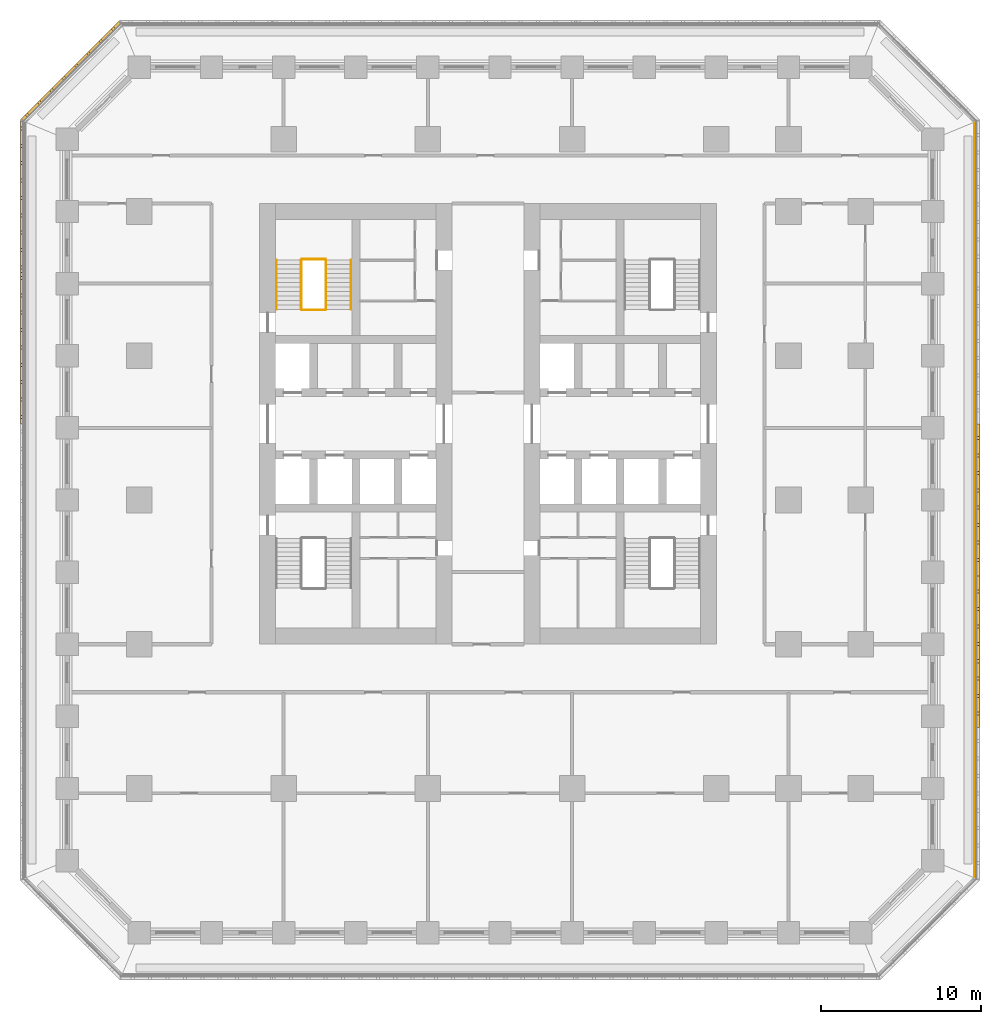
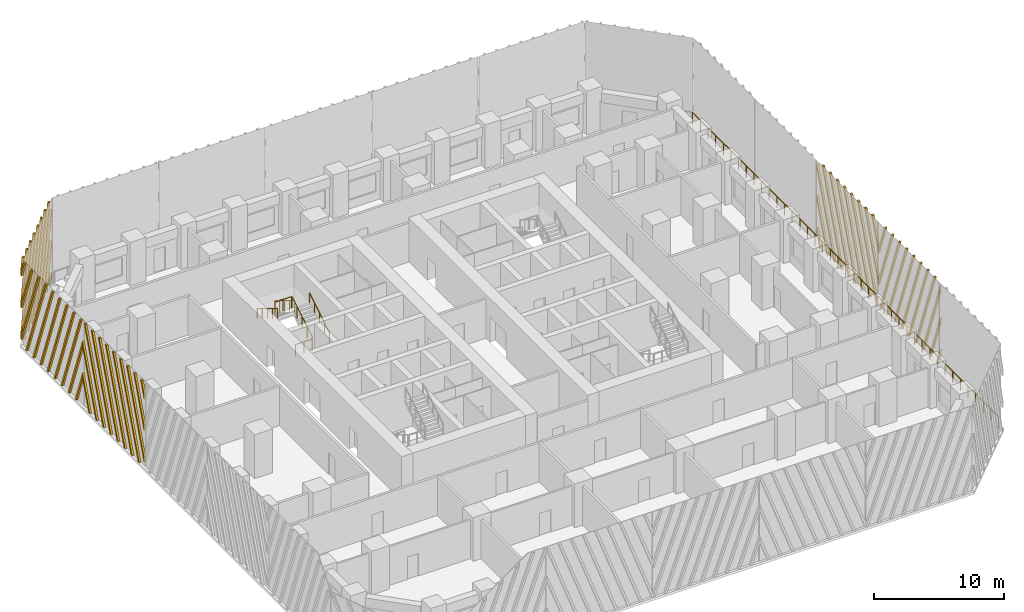
# One storey, part 11 of 14: 7 railings, 5 shading devices.
"""IFC4 building model written with IfcOpenShell, lengths in metres."""

from ifc_helpers import new_model, si_unit, direction, frame, origin, origin_2d, place, context, subcontext, project, spatial, polyline, circle, outline, extrude, source, transform, mapped, material, type_object, element, save


model = new_model("IFC4")

# Units and contexts
model_context = context("Model", 3, precision=1e-05, world=origin(), true_north=direction((0.0, 1.0)))
body_context = subcontext(model_context, "Body", "Model", "MODEL_VIEW")
ifc_project = project(units=[si_unit("LENGTHUNIT", "METRE"), si_unit("AREAUNIT", "SQUARE_METRE"), si_unit("VOLUMEUNIT", "CUBIC_METRE"), si_unit("PLANEANGLEUNIT", "RADIAN"), si_unit("MASSUNIT", "GRAM", prefix="KILO")], contexts=[model_context])

# Site, building, storey
site_placement = place(None, origin())
site = spatial("IfcSite", under=ifc_project, at=site_placement, CompositionType="ELEMENT")
building_placement = place(site_placement, origin())
building = spatial("IfcBuilding", under=site, at=building_placement, Name="Corbel Stack Research Tower", CompositionType="ELEMENT")
storey_placement = place(building_placement, frame((0.0, 0.0, 58.300048828125)))
storey = spatial("IfcBuildingStorey", under=building, at=storey_placement, Name="L13", CompositionType="ELEMENT", Elevation=58.300048828125)

# Railings
ifc_material_1 = material(Name="Steel S355", Category="steel")
railing_type_1 = type_object("IfcRailingType", Name="Stair guard 1100", PredefinedType="GUARDRAIL", material=ifc_material_1)
railing_1_placement = place(storey_placement, frame((-6.35009765625, 11.89990234375, 0.1708984375)))
element("IfcRailing", 1, at=railing_1_placement, inside=storey, type_object=railing_type_1, Name="L13 ST-W2 stair guard 1", PredefinedType="GUARDRAIL", context=body_context, shape_type="SweptSolid", body=[
    extrude(circle(Radius=0.02392578125, at=origin_2d()), frame((0.0, 0.0, 1.076171875), z_axis=(0.0, 0.853666305674, 0.52082035152), x_axis=(-1.0, 0.0, 0.0)), (0.0, 0.0, 1.0), 3.608154296875),
    extrude(circle(Radius=0.02099609375, at=origin_2d()), origin(), (0.0, 0.0, 1.0), 1.052001953125),
    extrude(circle(Radius=0.02099609375, at=origin_2d()), frame((0.0, 0.77001953125, 0.4697265625)), (0.0, 0.0, 1.0), 1.052001953125),
    extrude(circle(Radius=0.02099609375, at=origin_2d()), frame((0.0, 1.5400390625, 0.939453125)), (0.0, 0.0, 1.0), 1.052001953125),
    extrude(circle(Radius=0.02099609375, at=origin_2d()), frame((0.0, 2.31005859375, 1.409423828125)), (0.0, 0.0, 1.0), 1.052001953125),
    extrude(circle(Radius=0.02099609375, at=origin_2d()), frame((0.0, 3.080078125, 1.879150390625)), (0.0, 0.0, 1.0), 1.052001953125),
])
railing_2_placement = place(storey_placement, frame((-6.39990234375, 15.030029296875, 2.050048828125)))
element("IfcRailing", 2, at=railing_2_placement, inside=storey, type_object=railing_type_1, Name="L13 ST-W2 stair guard 2", PredefinedType="GUARDRAIL", context=body_context, shape_type="SweptSolid", body=[
    extrude(circle(Radius=0.02392578125, at=origin_2d()), frame((0.0, 0.0, 1.076171875), z_axis=(-1.0, 0.0, 0.0), x_axis=(0.0, -1.0, 0.0)), (0.0, 0.0, 1.0), 1.4501953125),
    extrude(circle(Radius=0.02099609375, at=origin_2d()), origin(), (0.0, 0.0, 1.0), 1.052001953125),
    extrude(circle(Radius=0.02099609375, at=origin_2d()), frame((-0.72509765625, 0.0, 0.0)), (0.0, 0.0, 1.0), 1.052001953125),
    extrude(circle(Radius=0.02099609375, at=origin_2d()), frame((-1.4501953125, 0.0, 0.0)), (0.0, 0.0, 1.0), 1.052001953125),
])
railing_3_placement = place(storey_placement, frame((-7.89990234375, 14.97998046875, 2.220703125)))
element("IfcRailing", 3, at=railing_3_placement, inside=storey, type_object=railing_type_1, Name="L13 ST-W2 stair guard 3", PredefinedType="GUARDRAIL", context=body_context, shape_type="SweptSolid", body=[
    extrude(circle(Radius=0.02392578125, at=origin_2d()), frame((0.0, 0.0, 1.076171875), z_axis=(0.0, -0.853666305674, 0.52082035152), x_axis=(1.0, 0.0, 0.0)), (0.0, 0.0, 1.0), 3.608154296875),
    extrude(circle(Radius=0.02099609375, at=origin_2d()), origin(), (0.0, 0.0, 1.0), 1.052001953125),
    extrude(circle(Radius=0.02099609375, at=origin_2d()), frame((0.0, -0.77001953125, 0.4697265625)), (0.0, 0.0, 1.0), 1.052001953125),
    extrude(circle(Radius=0.02099609375, at=origin_2d()), frame((0.0, -1.5400390625, 0.939453125)), (0.0, 0.0, 1.0), 1.052001953125),
    extrude(circle(Radius=0.02099609375, at=origin_2d()), frame((0.0, -2.31005859375, 1.409423828125)), (0.0, 0.0, 1.0), 1.052001953125),
    extrude(circle(Radius=0.02099609375, at=origin_2d()), frame((0.0, -3.080078125, 1.879150390625)), (0.0, 0.0, 1.0), 1.052001953125),
])
railing_4_placement = place(storey_placement, frame((-6.39990234375, 11.85009765625, 0.0)))
element("IfcRailing", 4, at=railing_4_placement, inside=storey, type_object=railing_type_1, Name="L13 ST-W2 stair guard 4", PredefinedType="GUARDRAIL", context=body_context, shape_type="SweptSolid", body=[
    extrude(circle(Radius=0.02392578125, at=origin_2d()), frame((0.0, 0.0, 1.076171875), z_axis=(-1.0, 0.0, 0.0), x_axis=(0.0, -1.0, 0.0)), (0.0, 0.0, 1.0), 1.4501953125),
    extrude(circle(Radius=0.02099609375, at=origin_2d()), origin(), (0.0, 0.0, 1.0), 1.052001953125),
    extrude(circle(Radius=0.02099609375, at=origin_2d()), frame((-0.72509765625, 0.0, 0.0)), (0.0, 0.0, 1.0), 1.052001953125),
    extrude(circle(Radius=0.02099609375, at=origin_2d()), frame((-1.4501953125, 0.0, 0.0)), (0.0, 0.0, 1.0), 1.052001953125),
])
ifc_material_2 = material(Name="Steel S355", Category="steel")
railing_type_2 = type_object("IfcRailingType", Name="Stair handrail 900", PredefinedType="HANDRAIL", material=ifc_material_2)
railing_5_placement = place(storey_placement, frame((-4.800048828125, 11.89990234375, 0.1708984375)))
element("IfcRailing", 5, at=railing_5_placement, inside=storey, type_object=railing_type_2, Name="L13 ST-W2 stair handrail 1", PredefinedType="HANDRAIL", context=body_context, shape_type="SweptSolid", body=[
    extrude(circle(Radius=0.02392578125, at=origin_2d()), frame((0.0, 0.0, 0.8759765625), z_axis=(0.0, 0.853666305674, 0.52082035152), x_axis=(-1.0, 0.0, 0.0)), (0.0, 0.0, 1.0), 3.608154296875),
    extrude(circle(Radius=0.02099609375, at=origin_2d()), origin(), (0.0, 0.0, 1.0), 0.851806640625),
    extrude(circle(Radius=0.02099609375, at=origin_2d()), frame((0.0, 0.77001953125, 0.4697265625)), (0.0, 0.0, 1.0), 0.851806640625),
    extrude(circle(Radius=0.02099609375, at=origin_2d()), frame((0.0, 1.5400390625, 0.939453125)), (0.0, 0.0, 1.0), 0.851806640625),
    extrude(circle(Radius=0.02099609375, at=origin_2d()), frame((0.0, 2.31005859375, 1.409423828125)), (0.0, 0.0, 1.0), 0.851806640625),
    extrude(circle(Radius=0.02099609375, at=origin_2d()), frame((0.0, 3.080078125, 1.879150390625)), (0.0, 0.0, 1.0), 0.851806640625),
])
railing_6_placement = place(storey_placement, frame((-9.449951171875, 14.97998046875, 2.220703125)))
element("IfcRailing", 6, at=railing_6_placement, inside=storey, type_object=railing_type_2, Name="L13 ST-W2 stair handrail 2", PredefinedType="HANDRAIL", context=body_context, shape_type="SweptSolid", body=[
    extrude(circle(Radius=0.02392578125, at=origin_2d()), frame((0.0, 0.0, 0.8759765625), z_axis=(0.0, -0.853666305674, 0.52082035152), x_axis=(1.0, 0.0, 0.0)), (0.0, 0.0, 1.0), 3.608154296875),
    extrude(circle(Radius=0.02099609375, at=origin_2d()), origin(), (0.0, 0.0, 1.0), 0.851806640625),
    extrude(circle(Radius=0.02099609375, at=origin_2d()), frame((0.0, -0.77001953125, 0.4697265625)), (0.0, 0.0, 1.0), 0.851806640625),
    extrude(circle(Radius=0.02099609375, at=origin_2d()), frame((0.0, -1.5400390625, 0.939453125)), (0.0, 0.0, 1.0), 0.851806640625),
    extrude(circle(Radius=0.02099609375, at=origin_2d()), frame((0.0, -2.31005859375, 1.409423828125)), (0.0, 0.0, 1.0), 0.851806640625),
    extrude(circle(Radius=0.02099609375, at=origin_2d()), frame((0.0, -3.080078125, 1.879150390625)), (0.0, 0.0, 1.0), 0.851806640625),
])
ifc_material_3 = material(Name="Powder-coated steel guard", Category="steel")
railing_type_3 = type_object("IfcRailingType", Name="Steel and glass guard 1100", PredefinedType="GUARDRAIL", material=ifc_material_3)
railing_7_placement = place(storey_placement, frame((34.10009765625, -23.50537109375, 0.0)))
element("IfcRailing", 7, at=railing_7_placement, inside=storey, type_object=railing_type_3, Name="Loggia guard L13 E", PredefinedType="GUARDRAIL", context=body_context, shape_type="SweptSolid", body=[
    extrude(circle(Radius=0.02392578125, at=origin_2d()), frame((0.0, 0.0, 1.076171875), z_axis=(0.0, 1.0, 0.0), x_axis=(-1.0, 0.0, 0.0)), (0.0, 0.0, 1.0), 47.0107421875),
    extrude(circle(Radius=0.02099609375, at=origin_2d()), origin(), (0.0, 0.0, 1.0), 1.052001953125),
    extrude(circle(Radius=0.02099609375, at=origin_2d()), frame((0.0, 1.17529296875, 0.0)), (0.0, 0.0, 1.0), 1.052001953125),
    extrude(circle(Radius=0.02099609375, at=origin_2d()), frame((0.0, 2.3505859375, 0.0)), (0.0, 0.0, 1.0), 1.052001953125),
    extrude(circle(Radius=0.02099609375, at=origin_2d()), frame((0.0, 3.52587890625, 0.0)), (0.0, 0.0, 1.0), 1.052001953125),
    extrude(circle(Radius=0.02099609375, at=origin_2d()), frame((0.0, 4.701171875, 0.0)), (0.0, 0.0, 1.0), 1.052001953125),
    extrude(circle(Radius=0.02099609375, at=origin_2d()), frame((0.0, 5.87646484375, 0.0)), (0.0, 0.0, 1.0), 1.052001953125),
    extrude(circle(Radius=0.02099609375, at=origin_2d()), frame((0.0, 7.051513671875, 0.0)), (0.0, 0.0, 1.0), 1.052001953125),
    extrude(circle(Radius=0.02099609375, at=origin_2d()), frame((0.0, 8.226806640625, 0.0)), (0.0, 0.0, 1.0), 1.052001953125),
    extrude(circle(Radius=0.02099609375, at=origin_2d()), frame((0.0, 9.402099609375, 0.0)), (0.0, 0.0, 1.0), 1.052001953125),
    extrude(circle(Radius=0.02099609375, at=origin_2d()), frame((0.0, 10.577392578125, 0.0)), (0.0, 0.0, 1.0), 1.052001953125),
    extrude(circle(Radius=0.02099609375, at=origin_2d()), frame((0.0, 11.752685546875, 0.0)), (0.0, 0.0, 1.0), 1.052001953125),
    extrude(circle(Radius=0.02099609375, at=origin_2d()), frame((0.0, 12.927978515625, 0.0)), (0.0, 0.0, 1.0), 1.052001953125),
    extrude(circle(Radius=0.02099609375, at=origin_2d()), frame((0.0, 14.103271484375, 0.0)), (0.0, 0.0, 1.0), 1.052001953125),
    extrude(circle(Radius=0.02099609375, at=origin_2d()), frame((0.0, 15.278564453125, 0.0)), (0.0, 0.0, 1.0), 1.052001953125),
    extrude(circle(Radius=0.02099609375, at=origin_2d()), frame((0.0, 16.453857421875, 0.0)), (0.0, 0.0, 1.0), 1.052001953125),
    extrude(circle(Radius=0.02099609375, at=origin_2d()), frame((0.0, 17.62890625, 0.0)), (0.0, 0.0, 1.0), 1.052001953125),
    extrude(circle(Radius=0.02099609375, at=origin_2d()), frame((0.0, 18.80419921875, 0.0)), (0.0, 0.0, 1.0), 1.052001953125),
    extrude(circle(Radius=0.02099609375, at=origin_2d()), frame((0.0, 19.9794921875, 0.0)), (0.0, 0.0, 1.0), 1.052001953125),
    extrude(circle(Radius=0.02099609375, at=origin_2d()), frame((0.0, 21.15478515625, 0.0)), (0.0, 0.0, 1.0), 1.052001953125),
    extrude(circle(Radius=0.02099609375, at=origin_2d()), frame((0.0, 22.330078125, 0.0)), (0.0, 0.0, 1.0), 1.052001953125),
    extrude(circle(Radius=0.02099609375, at=origin_2d()), frame((0.0, 23.50537109375, 0.0)), (0.0, 0.0, 1.0), 1.052001953125),
    extrude(circle(Radius=0.02099609375, at=origin_2d()), frame((0.0, 24.6806640625, 0.0)), (0.0, 0.0, 1.0), 1.052001953125),
    extrude(circle(Radius=0.02099609375, at=origin_2d()), frame((0.0, 25.85595703125, 0.0)), (0.0, 0.0, 1.0), 1.052001953125),
    extrude(circle(Radius=0.02099609375, at=origin_2d()), frame((0.0, 27.03125, 0.0)), (0.0, 0.0, 1.0), 1.052001953125),
    extrude(circle(Radius=0.02099609375, at=origin_2d()), frame((0.0, 28.20654296875, 0.0)), (0.0, 0.0, 1.0), 1.052001953125),
    extrude(circle(Radius=0.02099609375, at=origin_2d()), frame((0.0, 29.3818359375, 0.0)), (0.0, 0.0, 1.0), 1.052001953125),
    extrude(circle(Radius=0.02099609375, at=origin_2d()), frame((0.0, 30.556884765625, 0.0)), (0.0, 0.0, 1.0), 1.052001953125),
    extrude(circle(Radius=0.02099609375, at=origin_2d()), frame((0.0, 31.732177734375, 0.0)), (0.0, 0.0, 1.0), 1.052001953125),
    extrude(circle(Radius=0.02099609375, at=origin_2d()), frame((0.0, 32.907470703125, 0.0)), (0.0, 0.0, 1.0), 1.052001953125),
    extrude(circle(Radius=0.02099609375, at=origin_2d()), frame((0.0, 34.082763671875, 0.0)), (0.0, 0.0, 1.0), 1.052001953125),
    extrude(circle(Radius=0.02099609375, at=origin_2d()), frame((0.0, 35.258056640625, 0.0)), (0.0, 0.0, 1.0), 1.052001953125),
    extrude(circle(Radius=0.02099609375, at=origin_2d()), frame((0.0, 36.433349609375, 0.0)), (0.0, 0.0, 1.0), 1.052001953125),
    extrude(circle(Radius=0.02099609375, at=origin_2d()), frame((0.0, 37.608642578125, 0.0)), (0.0, 0.0, 1.0), 1.052001953125),
    extrude(circle(Radius=0.02099609375, at=origin_2d()), frame((0.0, 38.783935546875, 0.0)), (0.0, 0.0, 1.0), 1.052001953125),
    extrude(circle(Radius=0.02099609375, at=origin_2d()), frame((0.0, 39.959228515625, 0.0)), (0.0, 0.0, 1.0), 1.052001953125),
    extrude(circle(Radius=0.02099609375, at=origin_2d()), frame((0.0, 41.13427734375, 0.0)), (0.0, 0.0, 1.0), 1.052001953125),
    extrude(circle(Radius=0.02099609375, at=origin_2d()), frame((0.0, 42.3095703125, 0.0)), (0.0, 0.0, 1.0), 1.052001953125),
    extrude(circle(Radius=0.02099609375, at=origin_2d()), frame((0.0, 43.48486328125, 0.0)), (0.0, 0.0, 1.0), 1.052001953125),
    extrude(circle(Radius=0.02099609375, at=origin_2d()), frame((0.0, 44.66015625, 0.0)), (0.0, 0.0, 1.0), 1.052001953125),
    extrude(circle(Radius=0.02099609375, at=origin_2d()), frame((0.0, 45.83544921875, 0.0)), (0.0, 0.0, 1.0), 1.052001953125),
    extrude(circle(Radius=0.02099609375, at=origin_2d()), frame((0.0, 47.0107421875, 0.0)), (0.0, 0.0, 1.0), 1.052001953125),
])

# Shading devices
ifc_material_4 = material(Name="Precast terracotta", Category="masonry")
shading_device_type = type_object("IfcShadingDeviceType", Name="Terracotta screen panel", PredefinedType="USERDEFINED", material=ifc_material_4)
shared_shape_1 = source(origin(), body_context, "Body", "SweptSolid", [
    extrude(outline(polyline([(1.09033203125, 7.949951171875), (0.900390625, 7.949951171875), (0.0, 5.476318359375), (0.0, 4.9541015625), (1.09033203125, 7.949951171875)])), frame((0.0, 0.0, 0.0), z_axis=(0.0, -1.0, 0.0), x_axis=(1.0, 0.0, 0.0)), (0.0, 0.0, 1.0), 0.179931640625),
    extrude(outline(polyline([(2.175048828125, 7.949951171875), (1.985107421875, 7.949951171875), (0.0, 2.49609375), (0.0, 1.97412109375), (2.175048828125, 7.949951171875)])), frame((0.0, 0.0, 0.0), z_axis=(0.0, -1.0, 0.0), x_axis=(1.0, 0.0, 0.0)), (0.0, 0.0, 1.0), 0.179931640625),
    extrude(outline(polyline([(0.3662109375, 0.0), (3.259765625, 7.949951171875), (3.069580078125, 7.949951171875), (0.17626953125, 0.0), (0.3662109375, 0.0)])), frame((0.0, 0.0, 0.0), z_axis=(0.0, -1.0, 0.0), x_axis=(1.0, 0.0, 0.0)), (0.0, 0.0, 1.0), 0.179931640625),
    extrude(outline(polyline([(1.45068359375, 0.0), (4.344482421875, 7.949951171875), (4.154296875, 7.949951171875), (1.2607421875, 0.0), (1.45068359375, 0.0)])), frame((0.0, 0.0, 0.0), z_axis=(0.0, -1.0, 0.0), x_axis=(1.0, 0.0, 0.0)), (0.0, 0.0, 1.0), 0.179931640625),
    extrude(outline(polyline([(2.535400390625, 0.0), (5.42919921875, 7.949951171875), (5.239013671875, 7.949951171875), (2.345458984375, 0.0), (2.535400390625, 0.0)])), frame((0.0, 0.0, 0.0), z_axis=(0.0, -1.0, 0.0), x_axis=(1.0, 0.0, 0.0)), (0.0, 0.0, 1.0), 0.179931640625),
    extrude(outline(polyline([(3.6201171875, 0.0), (6.513671875, 7.949951171875), (6.32373046875, 7.949951171875), (3.43017578125, 0.0), (3.6201171875, 0.0)])), frame((0.0, 0.0, 0.0), z_axis=(0.0, -1.0, 0.0), x_axis=(1.0, 0.0, 0.0)), (0.0, 0.0, 1.0), 0.179931640625),
    extrude(outline(polyline([(4.704833984375, 0.0), (7.598388671875, 7.949951171875), (7.408447265625, 7.949951171875), (4.514892578125, 0.0), (4.704833984375, 0.0)])), frame((0.0, 0.0, 0.0), z_axis=(0.0, -1.0, 0.0), x_axis=(1.0, 0.0, 0.0)), (0.0, 0.0, 1.0), 0.179931640625),
    extrude(outline(polyline([(5.78955078125, 0.0), (8.68310546875, 7.949951171875), (8.4931640625, 7.949951171875), (5.599609375, 0.0), (5.78955078125, 0.0)])), frame((0.0, 0.0, 0.0), z_axis=(0.0, -1.0, 0.0), x_axis=(1.0, 0.0, 0.0)), (0.0, 0.0, 1.0), 0.179931640625),
    extrude(outline(polyline([(6.874267578125, 0.0), (9.45556640625, 7.092529296875), (9.45556640625, 7.614501953125), (6.68408203125, 0.0), (6.874267578125, 0.0)])), frame((0.0, 0.0, 0.0), z_axis=(0.0, -1.0, 0.0), x_axis=(1.0, 0.0, 0.0)), (0.0, 0.0, 1.0), 0.179931640625),
    extrude(outline(polyline([(7.958740234375, 0.0), (9.45556640625, 4.1123046875), (9.45556640625, 4.634521484375), (7.768798828125, 0.0), (7.958740234375, 0.0)])), frame((0.0, 0.0, 0.0), z_axis=(0.0, -1.0, 0.0), x_axis=(1.0, 0.0, 0.0)), (0.0, 0.0, 1.0), 0.179931640625),
    extrude(outline(polyline([(9.04345703125, 0.0), (9.45556640625, 1.13232421875), (9.45556640625, 1.654296875), (8.853515625, 0.0), (9.04345703125, 0.0)])), frame((0.0, 0.0, 0.0), z_axis=(0.0, -1.0, 0.0), x_axis=(1.0, 0.0, 0.0)), (0.0, 0.0, 1.0), 0.179931640625),
])
shading_device_1_placement = place(storey_placement, frame((34.25, -4.727783203125, 0.0), z_axis=(0.0, 0.0, 1.0), x_axis=(0.0, 1.0, 0.0)))
element("IfcShadingDevice", 8, at=shading_device_1_placement, inside=storey, type_object=shading_device_type, Name="Terracotta screen L13 E3", ObjectType="SCREEN", PredefinedType="USERDEFINED", context=body_context, shape_type="MappedRepresentation", body=[
    mapped(shared_shape_1, transform((0.0, 0.0, 0.0))),
])
shared_shape_2 = source(origin(), body_context, "Body", "SweptSolid", [
    extrude(outline(polyline([(0.60205078125, 0.0), (0.0, 1.654296875), (0.0, 1.13232421875), (0.412109375, 0.0), (0.60205078125, 0.0)])), frame((0.0, 0.0, 0.0), z_axis=(0.0, -1.0, 0.0), x_axis=(1.0, 0.0, 0.0)), (0.0, 0.0, 1.0), 0.179931640625),
    extrude(outline(polyline([(1.686767578125, 0.0), (0.0, 4.634521484375), (0.0, 4.1123046875), (1.496826171875, 0.0), (1.686767578125, 0.0)])), frame((0.0, 0.0, 0.0), z_axis=(0.0, -1.0, 0.0), x_axis=(1.0, 0.0, 0.0)), (0.0, 0.0, 1.0), 0.179931640625),
    extrude(outline(polyline([(2.771484375, 0.0), (0.0, 7.614501953125), (0.0, 7.092529296875), (2.58154296875, 0.0), (2.771484375, 0.0)])), frame((0.0, 0.0, 0.0), z_axis=(0.0, -1.0, 0.0), x_axis=(1.0, 0.0, 0.0)), (0.0, 0.0, 1.0), 0.179931640625),
    extrude(outline(polyline([(3.856201171875, 0.0), (0.962646484375, 7.949951171875), (0.772705078125, 7.949951171875), (3.666015625, 0.0), (3.856201171875, 0.0)])), frame((0.0, 0.0, 0.0), z_axis=(0.0, -1.0, 0.0), x_axis=(1.0, 0.0, 0.0)), (0.0, 0.0, 1.0), 0.179931640625),
    extrude(outline(polyline([(4.94091796875, 0.0), (2.047119140625, 7.949951171875), (1.857177734375, 7.949951171875), (4.750732421875, 0.0), (4.94091796875, 0.0)])), frame((0.0, 0.0, 0.0), z_axis=(0.0, -1.0, 0.0), x_axis=(1.0, 0.0, 0.0)), (0.0, 0.0, 1.0), 0.179931640625),
    extrude(outline(polyline([(6.025390625, 0.0), (3.1318359375, 7.949951171875), (2.94189453125, 7.949951171875), (5.83544921875, 0.0), (6.025390625, 0.0)])), frame((0.0, 0.0, 0.0), z_axis=(0.0, -1.0, 0.0), x_axis=(1.0, 0.0, 0.0)), (0.0, 0.0, 1.0), 0.179931640625),
    extrude(outline(polyline([(7.110107421875, 0.0), (4.216552734375, 7.949951171875), (4.026611328125, 7.949951171875), (6.920166015625, 0.0), (7.110107421875, 0.0)])), frame((0.0, 0.0, 0.0), z_axis=(0.0, -1.0, 0.0), x_axis=(1.0, 0.0, 0.0)), (0.0, 0.0, 1.0), 0.179931640625),
    extrude(outline(polyline([(8.19482421875, 0.0), (5.30126953125, 7.949951171875), (5.111083984375, 7.949951171875), (8.0048828125, 0.0), (8.19482421875, 0.0)])), frame((0.0, 0.0, 0.0), z_axis=(0.0, -1.0, 0.0), x_axis=(1.0, 0.0, 0.0)), (0.0, 0.0, 1.0), 0.179931640625),
    extrude(outline(polyline([(9.279541015625, 0.0), (6.385986328125, 7.949951171875), (6.19580078125, 7.949951171875), (9.089599609375, 0.0), (9.279541015625, 0.0)])), frame((0.0, 0.0, 0.0), z_axis=(0.0, -1.0, 0.0), x_axis=(1.0, 0.0, 0.0)), (0.0, 0.0, 1.0), 0.179931640625),
    extrude(outline(polyline([(7.470703125, 7.949951171875), (7.280517578125, 7.949951171875), (9.45556640625, 1.97412109375), (9.45556640625, 2.49609375), (7.470703125, 7.949951171875)])), frame((0.0, 0.0, 0.0), z_axis=(0.0, -1.0, 0.0), x_axis=(1.0, 0.0, 0.0)), (0.0, 0.0, 1.0), 0.179931640625),
    extrude(outline(polyline([(8.55517578125, 7.949951171875), (8.365234375, 7.949951171875), (9.45556640625, 4.9541015625), (9.45556640625, 5.476318359375), (8.55517578125, 7.949951171875)])), frame((0.0, 0.0, 0.0), z_axis=(0.0, -1.0, 0.0), x_axis=(1.0, 0.0, 0.0)), (0.0, 0.0, 1.0), 0.179931640625),
])
shading_device_2_placement = place(storey_placement, frame((34.25, -14.18359375, 0.0), z_axis=(0.0, 0.0, 1.0), x_axis=(0.0, 1.0, 0.0)))
element("IfcShadingDevice", 9, at=shading_device_2_placement, inside=storey, type_object=shading_device_type, Name="Terracotta screen L13 E2", ObjectType="SCREEN", PredefinedType="USERDEFINED", context=body_context, shape_type="MappedRepresentation", body=[
    mapped(shared_shape_2, transform((0.0, 0.0, 0.0))),
])
shared_shape_3 = source(origin(), body_context, "Body", "SweptSolid", [
    extrude(outline(polyline([(0.548095703125, 7.949951171875), (0.358154296875, 7.949951171875), (0.0, 6.96630859375), (0.0, 6.444091796875), (0.548095703125, 7.949951171875)])), frame((0.0, 0.0, 0.0), z_axis=(0.0, -1.0, 0.0), x_axis=(1.0, 0.0, 0.0)), (0.0, 0.0, 1.0), 0.179931640625),
    extrude(outline(polyline([(1.6328125, 7.949951171875), (1.442626953125, 7.949951171875), (0.0, 3.986083984375), (0.0, 3.464111328125), (1.6328125, 7.949951171875)])), frame((0.0, 0.0, 0.0), z_axis=(0.0, -1.0, 0.0), x_axis=(1.0, 0.0, 0.0)), (0.0, 0.0, 1.0), 0.179931640625),
    extrude(outline(polyline([(2.71728515625, 7.949951171875), (2.52734375, 7.949951171875), (0.0, 1.006103515625), (0.0, 0.48388671875), (2.71728515625, 7.949951171875)])), frame((0.0, 0.0, 0.0), z_axis=(0.0, -1.0, 0.0), x_axis=(1.0, 0.0, 0.0)), (0.0, 0.0, 1.0), 0.179931640625),
    extrude(outline(polyline([(0.908447265625, 0.0), (3.802001953125, 7.949951171875), (3.612060546875, 7.949951171875), (0.718505859375, 0.0), (0.908447265625, 0.0)])), frame((0.0, 0.0, 0.0), z_axis=(0.0, -1.0, 0.0), x_axis=(1.0, 0.0, 0.0)), (0.0, 0.0, 1.0), 0.179931640625),
    extrude(outline(polyline([(1.9931640625, 0.0), (4.88671875, 7.949951171875), (4.69677734375, 7.949951171875), (1.80322265625, 0.0), (1.9931640625, 0.0)])), frame((0.0, 0.0, 0.0), z_axis=(0.0, -1.0, 0.0), x_axis=(1.0, 0.0, 0.0)), (0.0, 0.0, 1.0), 0.179931640625),
    extrude(outline(polyline([(3.077880859375, 0.0), (5.971435546875, 7.949951171875), (5.781494140625, 7.949951171875), (2.8876953125, 0.0), (3.077880859375, 0.0)])), frame((0.0, 0.0, 0.0), z_axis=(0.0, -1.0, 0.0), x_axis=(1.0, 0.0, 0.0)), (0.0, 0.0, 1.0), 0.179931640625),
    extrude(outline(polyline([(4.16259765625, 0.0), (7.05615234375, 7.949951171875), (6.8662109375, 7.949951171875), (3.972412109375, 0.0), (4.16259765625, 0.0)])), frame((0.0, 0.0, 0.0), z_axis=(0.0, -1.0, 0.0), x_axis=(1.0, 0.0, 0.0)), (0.0, 0.0, 1.0), 0.179931640625),
    extrude(outline(polyline([(5.247314453125, 0.0), (8.140625, 7.949951171875), (7.95068359375, 7.949951171875), (5.05712890625, 0.0), (5.247314453125, 0.0)])), frame((0.0, 0.0, 0.0), z_axis=(0.0, -1.0, 0.0), x_axis=(1.0, 0.0, 0.0)), (0.0, 0.0, 1.0), 0.179931640625),
    extrude(outline(polyline([(6.331787109375, 0.0), (9.225341796875, 7.949951171875), (9.035400390625, 7.949951171875), (6.141845703125, 0.0), (6.331787109375, 0.0)])), frame((0.0, 0.0, 0.0), z_axis=(0.0, -1.0, 0.0), x_axis=(1.0, 0.0, 0.0)), (0.0, 0.0, 1.0), 0.179931640625),
    extrude(outline(polyline([(7.41650390625, 0.0), (9.45556640625, 5.6025390625), (9.45556640625, 6.12451171875), (7.2265625, 0.0), (7.41650390625, 0.0)])), frame((0.0, 0.0, 0.0), z_axis=(0.0, -1.0, 0.0), x_axis=(1.0, 0.0, 0.0)), (0.0, 0.0, 1.0), 0.179931640625),
    extrude(outline(polyline([(8.501220703125, 0.0), (9.45556640625, 2.622314453125), (9.45556640625, 3.144287109375), (8.311279296875, 0.0), (8.501220703125, 0.0)])), frame((0.0, 0.0, 0.0), z_axis=(0.0, -1.0, 0.0), x_axis=(1.0, 0.0, 0.0)), (0.0, 0.0, 1.0), 0.179931640625),
])
shading_device_3_placement = place(storey_placement, frame((-25.25, 23.63916015625, 0.0), z_axis=(0.0, 0.0, 1.0), x_axis=(0.0, -1.0, 0.0)))
element("IfcShadingDevice", 10, at=shading_device_3_placement, inside=storey, type_object=shading_device_type, Name="Terracotta screen L13 W1", ObjectType="SCREEN", PredefinedType="USERDEFINED", context=body_context, shape_type="MappedRepresentation", body=[
    mapped(shared_shape_3, transform((0.0, 0.0, 0.0))),
])
shared_shape_4 = source(origin(), body_context, "Body", "SweptSolid", [
    extrude(outline(polyline([(1.14453125, 0.0), (0.0, 3.144287109375), (0.0, 2.622314453125), (0.95458984375, 0.0), (1.14453125, 0.0)])), frame((0.0, 0.0, 0.0), z_axis=(0.0, -1.0, 0.0), x_axis=(1.0, 0.0, 0.0)), (0.0, 0.0, 1.0), 0.179931640625),
    extrude(outline(polyline([(2.22900390625, 0.0), (0.0, 6.12451171875), (0.0, 5.6025390625), (2.0390625, 0.0), (2.22900390625, 0.0)])), frame((0.0, 0.0, 0.0), z_axis=(0.0, -1.0, 0.0), x_axis=(1.0, 0.0, 0.0)), (0.0, 0.0, 1.0), 0.179931640625),
    extrude(outline(polyline([(3.313720703125, 0.0), (0.420166015625, 7.949951171875), (0.230224609375, 7.949951171875), (3.123779296875, 0.0), (3.313720703125, 0.0)])), frame((0.0, 0.0, 0.0), z_axis=(0.0, -1.0, 0.0), x_axis=(1.0, 0.0, 0.0)), (0.0, 0.0, 1.0), 0.179931640625),
    extrude(outline(polyline([(4.3984375, 0.0), (1.5048828125, 7.949951171875), (1.31494140625, 7.949951171875), (4.20849609375, 0.0), (4.3984375, 0.0)])), frame((0.0, 0.0, 0.0), z_axis=(0.0, -1.0, 0.0), x_axis=(1.0, 0.0, 0.0)), (0.0, 0.0, 1.0), 0.179931640625),
    extrude(outline(polyline([(5.483154296875, 0.0), (2.589599609375, 7.949951171875), (2.399658203125, 7.949951171875), (5.293212890625, 0.0), (5.483154296875, 0.0)])), frame((0.0, 0.0, 0.0), z_axis=(0.0, -1.0, 0.0), x_axis=(1.0, 0.0, 0.0)), (0.0, 0.0, 1.0), 0.179931640625),
    extrude(outline(polyline([(6.56787109375, 0.0), (3.67431640625, 7.949951171875), (3.484130859375, 7.949951171875), (6.377685546875, 0.0), (6.56787109375, 0.0)])), frame((0.0, 0.0, 0.0), z_axis=(0.0, -1.0, 0.0), x_axis=(1.0, 0.0, 0.0)), (0.0, 0.0, 1.0), 0.179931640625),
    extrude(outline(polyline([(7.652587890625, 0.0), (4.7587890625, 7.949951171875), (4.56884765625, 7.949951171875), (7.46240234375, 0.0), (7.652587890625, 0.0)])), frame((0.0, 0.0, 0.0), z_axis=(0.0, -1.0, 0.0), x_axis=(1.0, 0.0, 0.0)), (0.0, 0.0, 1.0), 0.179931640625),
    extrude(outline(polyline([(8.737060546875, 0.0), (5.843505859375, 7.949951171875), (5.653564453125, 7.949951171875), (8.547119140625, 0.0), (8.737060546875, 0.0)])), frame((0.0, 0.0, 0.0), z_axis=(0.0, -1.0, 0.0), x_axis=(1.0, 0.0, 0.0)), (0.0, 0.0, 1.0), 0.179931640625),
    extrude(outline(polyline([(6.92822265625, 7.949951171875), (6.73828125, 7.949951171875), (9.45556640625, 0.48388671875), (9.45556640625, 1.006103515625), (6.92822265625, 7.949951171875)])), frame((0.0, 0.0, 0.0), z_axis=(0.0, -1.0, 0.0), x_axis=(1.0, 0.0, 0.0)), (0.0, 0.0, 1.0), 0.179931640625),
    extrude(outline(polyline([(8.012939453125, 7.949951171875), (7.822998046875, 7.949951171875), (9.45556640625, 3.464111328125), (9.45556640625, 3.986083984375), (8.012939453125, 7.949951171875)])), frame((0.0, 0.0, 0.0), z_axis=(0.0, -1.0, 0.0), x_axis=(1.0, 0.0, 0.0)), (0.0, 0.0, 1.0), 0.179931640625),
    extrude(outline(polyline([(9.09765625, 7.949951171875), (8.90771484375, 7.949951171875), (9.45556640625, 6.444091796875), (9.45556640625, 6.96630859375), (9.09765625, 7.949951171875)])), frame((0.0, 0.0, 0.0), z_axis=(0.0, -1.0, 0.0), x_axis=(1.0, 0.0, 0.0)), (0.0, 0.0, 1.0), 0.179931640625),
])
shading_device_4_placement = place(storey_placement, frame((-25.25, 14.18359375, 0.0), z_axis=(0.0, 0.0, 1.0), x_axis=(0.0, -1.0, 0.0)))
element("IfcShadingDevice", 11, at=shading_device_4_placement, inside=storey, type_object=shading_device_type, Name="Terracotta screen L13 W2", ObjectType="SCREEN", PredefinedType="USERDEFINED", context=body_context, shape_type="MappedRepresentation", body=[
    mapped(shared_shape_4, transform((0.0, 0.0, 0.0))),
])
shared_shape_5 = source(origin(), body_context, "Body", "SweptSolid", [
    extrude(outline(polyline([(0.3310546875, 0.0), (0.0, 0.9091796875), (0.0, 0.38720703125), (0.14111328125, 0.0), (0.3310546875, 0.0)])), frame((0.0, 0.0, 0.0), z_axis=(0.0, -1.0, 0.0), x_axis=(1.0, 0.0, 0.0)), (0.0, 0.0, 1.0), 0.179931640625),
    extrude(outline(polyline([(1.41552734375, 0.0), (0.0, 3.889404296875), (0.0, 3.367431640625), (1.2255859375, 0.0), (1.41552734375, 0.0)])), frame((0.0, 0.0, 0.0), z_axis=(0.0, -1.0, 0.0), x_axis=(1.0, 0.0, 0.0)), (0.0, 0.0, 1.0), 0.179931640625),
    extrude(outline(polyline([(2.500244140625, 0.0), (0.0, 6.869384765625), (0.0, 6.347412109375), (2.310302734375, 0.0), (2.500244140625, 0.0)])), frame((0.0, 0.0, 0.0), z_axis=(0.0, -1.0, 0.0), x_axis=(1.0, 0.0, 0.0)), (0.0, 0.0, 1.0), 0.179931640625),
    extrude(outline(polyline([(3.5849609375, 0.0), (0.69140625, 7.949951171875), (0.50146484375, 7.949951171875), (3.39501953125, 0.0), (3.5849609375, 0.0)])), frame((0.0, 0.0, 0.0), z_axis=(0.0, -1.0, 0.0), x_axis=(1.0, 0.0, 0.0)), (0.0, 0.0, 1.0), 0.179931640625),
    extrude(outline(polyline([(4.669677734375, 0.0), (1.776123046875, 7.949951171875), (1.586181640625, 7.949951171875), (4.4794921875, 0.0), (4.669677734375, 0.0)])), frame((0.0, 0.0, 0.0), z_axis=(0.0, -1.0, 0.0), x_axis=(1.0, 0.0, 0.0)), (0.0, 0.0, 1.0), 0.179931640625),
    extrude(outline(polyline([(5.75439453125, 0.0), (2.860595703125, 7.949951171875), (2.670654296875, 7.949951171875), (5.564208984375, 0.0), (5.75439453125, 0.0)])), frame((0.0, 0.0, 0.0), z_axis=(0.0, -1.0, 0.0), x_axis=(1.0, 0.0, 0.0)), (0.0, 0.0, 1.0), 0.179931640625),
    extrude(outline(polyline([(6.839111328125, 0.0), (3.9453125, 7.949951171875), (3.75537109375, 7.949951171875), (6.64892578125, 0.0), (6.839111328125, 0.0)])), frame((0.0, 0.0, 0.0), z_axis=(0.0, -1.0, 0.0), x_axis=(1.0, 0.0, 0.0)), (0.0, 0.0, 1.0), 0.179931640625),
    extrude(outline(polyline([(7.923583984375, 0.0), (5.030029296875, 7.949951171875), (4.840087890625, 7.949951171875), (7.733642578125, 0.0), (7.923583984375, 0.0)])), frame((0.0, 0.0, 0.0), z_axis=(0.0, -1.0, 0.0), x_axis=(1.0, 0.0, 0.0)), (0.0, 0.0, 1.0), 0.179931640625),
    extrude(outline(polyline([(6.11474609375, 7.949951171875), (5.9248046875, 7.949951171875), (8.64208984375, 0.48388671875), (8.64208984375, 1.006103515625), (6.11474609375, 7.949951171875)])), frame((0.0, 0.0, 0.0), z_axis=(0.0, -1.0, 0.0), x_axis=(1.0, 0.0, 0.0)), (0.0, 0.0, 1.0), 0.179931640625),
    extrude(outline(polyline([(7.199462890625, 7.949951171875), (7.009521484375, 7.949951171875), (8.64208984375, 3.464111328125), (8.64208984375, 3.986083984375), (7.199462890625, 7.949951171875)])), frame((0.0, 0.0, 0.0), z_axis=(0.0, -1.0, 0.0), x_axis=(1.0, 0.0, 0.0)), (0.0, 0.0, 1.0), 0.179931640625),
    extrude(outline(polyline([(8.2841796875, 7.949951171875), (8.093994140625, 7.949951171875), (8.64208984375, 6.444091796875), (8.64208984375, 6.96630859375), (8.2841796875, 7.949951171875)])), frame((0.0, 0.0, 0.0), z_axis=(0.0, -1.0, 0.0), x_axis=(1.0, 0.0, 0.0)), (0.0, 0.0, 1.0), 0.179931640625),
])
shading_device_5_placement = place(storey_placement, frame((-19.13916015625, 29.75, 0.0), z_axis=(0.0, 0.0, 1.0), x_axis=(-0.707106781187, -0.707106781187, 0.0)))
element("IfcShadingDevice", 12, at=shading_device_5_placement, inside=storey, type_object=shading_device_type, Name="Terracotta screen L13 NW1", ObjectType="SCREEN", PredefinedType="USERDEFINED", context=body_context, shape_type="MappedRepresentation", body=[
    mapped(shared_shape_5, transform((0.0, 0.0, 0.0))),
])

save(model, "model.ifc")
